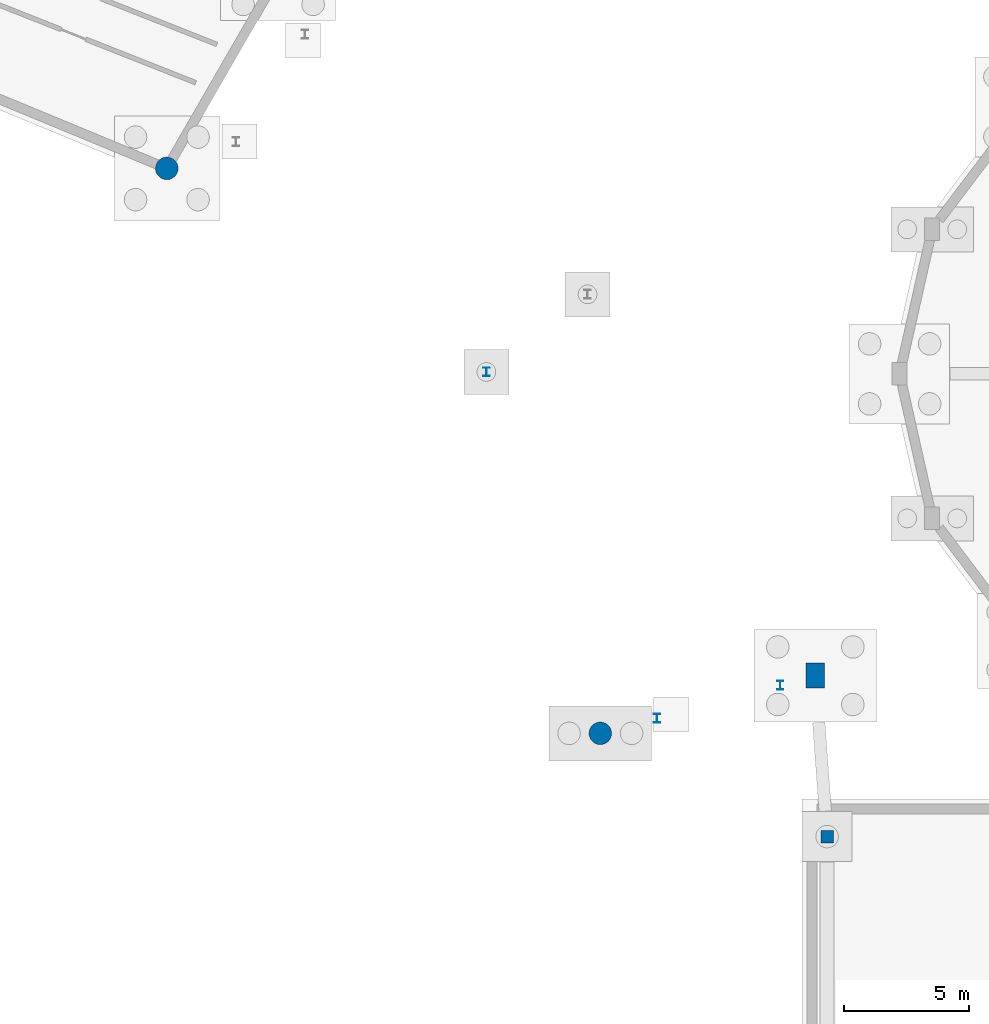
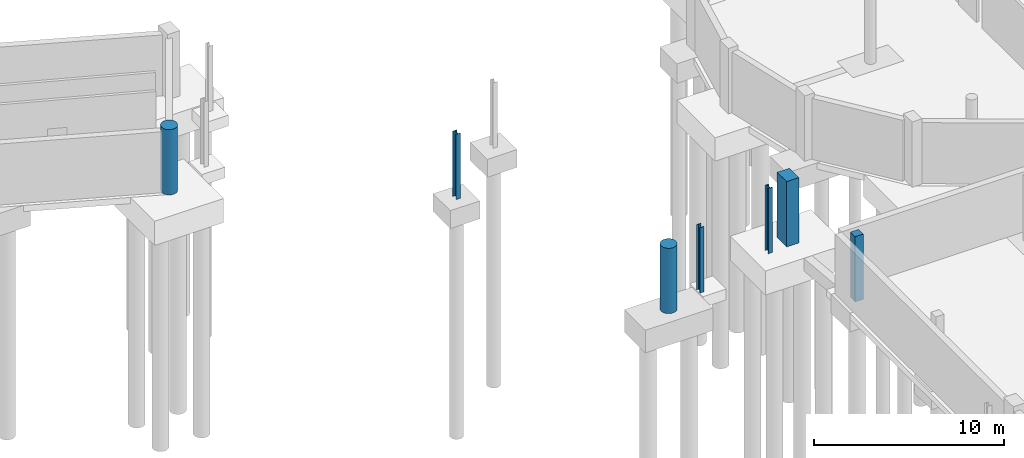
# One storey, part 18 of 43: 7 columns.
"""IFC4 building model written with IfcOpenShell, lengths in metres."""

from ifc_helpers import new_model, si_unit, direction, frame, origin, origin_2d, place, context, subcontext, project, spatial, rectangle, circle, i_section, extrude, material, material_profile, profile_set, type_object, element, save


model = new_model("IFC4")

# Units and contexts
model_context = context("Model", 3, precision=1e-05, world=origin(), true_north=direction((0.0, 1.0)))
body_context = subcontext(model_context, "Body", "Model", "MODEL_VIEW")
ifc_project = project(units=[si_unit("LENGTHUNIT", "METRE"), si_unit("AREAUNIT", "SQUARE_METRE"), si_unit("VOLUMEUNIT", "CUBIC_METRE"), si_unit("PLANEANGLEUNIT", "RADIAN"), si_unit("MASSUNIT", "GRAM", prefix="KILO")], contexts=[model_context])

# Site, building, storey
site_placement = place(None, origin())
site = spatial("IfcSite", under=ifc_project, at=site_placement, CompositionType="ELEMENT")
building_placement = place(site_placement, origin())
building = spatial("IfcBuilding", under=site, at=building_placement, Name="Vespera Passage Community Centre", CompositionType="ELEMENT")
storey_placement = place(building_placement, frame((0.0, 0.0, -4.199951171875)))
storey = spatial("IfcBuildingStorey", under=building, at=storey_placement, Name="B1", CompositionType="ELEMENT", Elevation=-4.199951171875)

# Columns
ifc_material_1 = material(Name="Concrete f'c 45 MPa", Category="concrete")
ifc_material_profile_1 = material_profile(ifc_material_1, rectangle(XDim=0.75, YDim=1.0, at=origin_2d()), Name="RC1000X750")
ifc_profile_set_1 = profile_set([ifc_material_profile_1], Name="Concrete f'c 45 MPa")
column_type_1 = type_object("IfcColumnType", Name="COL-RC1000X750E", PredefinedType="COLUMN", material=ifc_profile_set_1)
column_1_placement = place(storey_placement, frame((122.529296875, 77.431640625, 0.0), z_axis=(0.0, 0.0, 1.0), x_axis=(1.0, 0.0, 0.0)))
element("IfcColumn", 1, at=column_1_placement, inside=storey, type_object=column_type_1, Name="B1 Column V4-O01", PredefinedType="COLUMN", context=body_context, shape_type="SweptSolid", body=[
    extrude(rectangle(XDim=0.75, YDim=1.0, at=origin_2d()), origin(), (0.0, 0.0, 1.0), 4.199951171875),
])
ifc_material_2 = material(Name="Concrete f'c 45 MPa", Category="concrete")
ifc_material_profile_2 = material_profile(ifc_material_2, rectangle(XDim=0.5, YDim=0.5, at=origin_2d()), Name="RC500X500")
ifc_profile_set_2 = profile_set([ifc_material_profile_2], Name="Concrete f'c 45 MPa")
column_type_2 = type_object("IfcColumnType", Name="COL-RC500I", PredefinedType="COLUMN", material=ifc_profile_set_2)
column_2_placement = place(storey_placement, frame((123.0, 71.0, 0.0), z_axis=(0.0, 0.0, 1.0), x_axis=(1.0, 0.0, 0.0)))
element("IfcColumn", 2, at=column_2_placement, inside=storey, type_object=column_type_2, Name="B1 Column GAR-C14", PredefinedType="COLUMN", context=body_context, shape_type="SweptSolid", body=[
    extrude(rectangle(XDim=0.5, YDim=0.5, at=origin_2d()), origin(), (0.0, 0.0, 1.0), 4.199951171875),
])
ifc_material_3 = material(Name="Concrete f'c 45 MPa", Category="concrete")
ifc_material_profile_3 = material_profile(ifc_material_3, circle(Radius=0.449951171875, at=origin_2d()), Name="RC900DIA")
ifc_profile_set_3 = profile_set([ifc_material_profile_3], Name="Concrete f'c 45 MPa")
column_type_3 = type_object("IfcColumnType", Name="COL-RC900DIAE", PredefinedType="COLUMN", material=ifc_profile_set_3)
for number, where, z_axis, x_axis, name in (
    (3, (113.932373046875, 75.128173828125, 0.0), (0.0, 0.0, 1.0), (1.0, 0.0, 0.0), "B1 Column V4-I01"),
    (4, (96.60009765625, 97.716064453125, 0.0), (0.0, 0.0, 1.0), (1.0, 0.0, 0.0), "B1 Column V4-I04"),
):
    element("IfcColumn", number, at=place(storey_placement, frame(where, z_axis=z_axis, x_axis=x_axis)), inside=storey, type_object=column_type_3, Name=name, PredefinedType="COLUMN", context=body_context, shape_type="SweptSolid", body=[
        extrude(circle(Radius=0.449951171875, at=origin_2d()), origin(), (0.0, 0.0, 1.0), 4.199951171875),
    ])
ifc_material_4 = material(Name="Steel ASTM A992 Grade 50", Category="steel")
ifc_material_profile_4 = material_profile(ifc_material_4, i_section(OverallWidth=0.2548828125, OverallDepth=0.356689453125, WebThickness=0.010498046875, FlangeThickness=0.018310546875, FilletRadius=0.01513671875, at=origin_2d()), Name="W14X68")
ifc_profile_set_4 = profile_set([ifc_material_profile_4], Name="Steel ASTM A992 Grade 50")
column_type_4 = type_object("IfcColumnType", Name="COL-W14X68I", PredefinedType="COLUMN", material=ifc_profile_set_4)
for number, where, z_axis, x_axis, name in (
    (5, (116.202392578125, 75.736328125, 0.0), (0.0, 0.0, 1.0), (1.0, 0.0, 0.0), "B1 Column TRANC-I010"),
    (6, (109.377197265625, 89.576416015625, 0.0), (0.0, 0.0, 1.0), (1.0, 0.0, 0.0), "B1 Column TRANC-I025"),
    (7, (121.128662109375, 77.056396484375, 0.0), (0.0, 0.0, 1.0), (1.0, 0.0, 0.0), "B1 Column TRANC-O010"),
):
    element("IfcColumn", number, at=place(storey_placement, frame(where, z_axis=z_axis, x_axis=x_axis)), inside=storey, type_object=column_type_4, Name=name, PredefinedType="COLUMN", context=body_context, shape_type="SweptSolid", body=[
        extrude(i_section(OverallWidth=0.2548828125, OverallDepth=0.356689453125, WebThickness=0.010498046875, FlangeThickness=0.018310546875, FilletRadius=0.01513671875, at=origin_2d()), origin(), (0.0, 0.0, 1.0), 4.199951171875),
    ])

save(model, "model.ifc")
